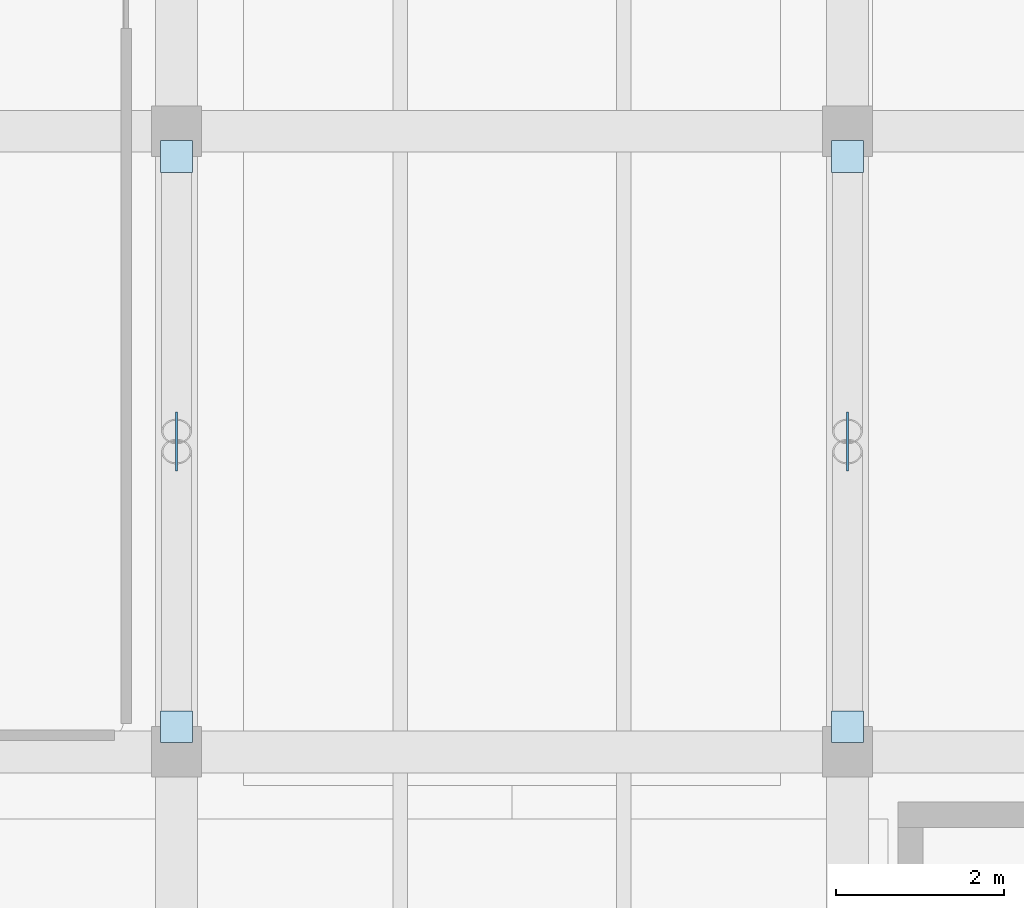
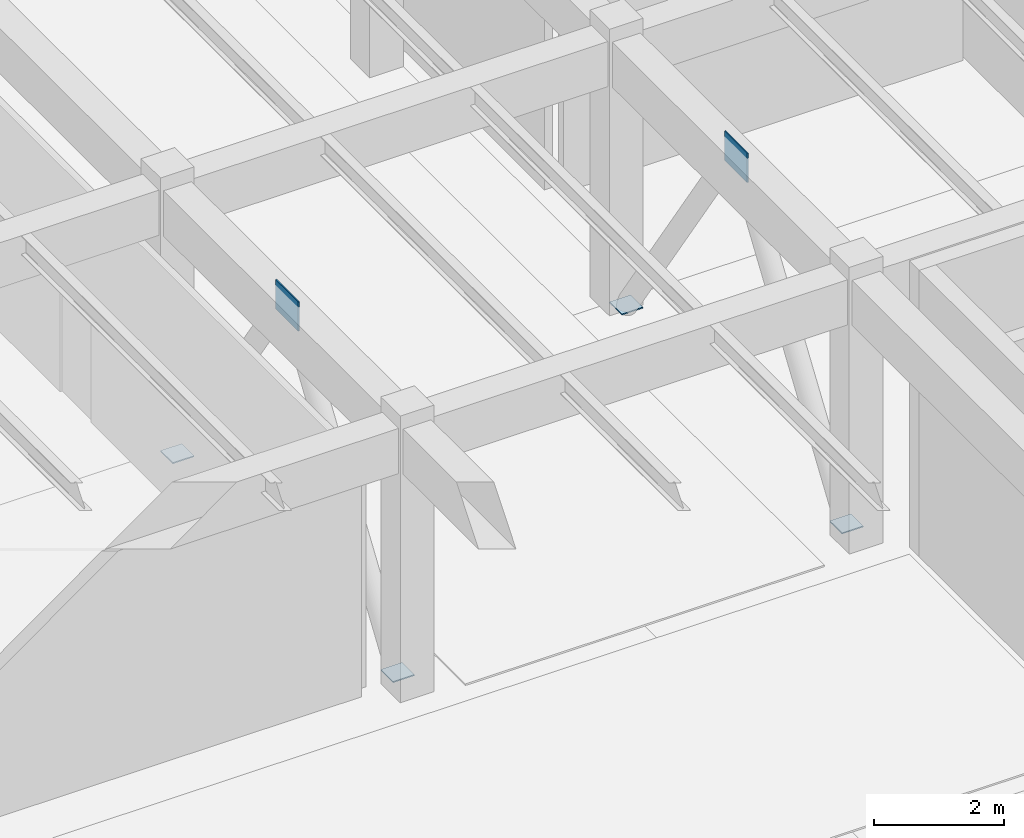
# One storey, part 15 of 56: 6 plates.
"""IFC4 building model written with IfcOpenShell, lengths in metres."""

from ifc_helpers import new_model, si_unit, direction, frame, origin, origin_2d, place, context, subcontext, project, spatial, rectangle, extrude, material, layer, layer_set, type_object, element, save


model = new_model("IFC4")

# Units and contexts
model_context = context("Model", 3, precision=1e-05, world=origin(), true_north=direction((0.0, 1.0)))
body_context = subcontext(model_context, "Body", "Model", "MODEL_VIEW")
ifc_project = project(units=[si_unit("LENGTHUNIT", "METRE"), si_unit("AREAUNIT", "SQUARE_METRE"), si_unit("VOLUMEUNIT", "CUBIC_METRE"), si_unit("PLANEANGLEUNIT", "RADIAN"), si_unit("MASSUNIT", "GRAM", prefix="KILO")], contexts=[model_context])

# Site, building, storey
site_placement = place(None, origin())
site = spatial("IfcSite", under=ifc_project, at=site_placement, CompositionType="ELEMENT")
building_placement = place(site_placement, origin())
building = spatial("IfcBuilding", under=site, at=building_placement, Name="Valkorina Park Police Headquarters", CompositionType="ELEMENT")
storey_placement = place(building_placement, origin())
storey = spatial("IfcBuildingStorey", under=building, at=storey_placement, Name="L01", CompositionType="ELEMENT", Elevation=0.0)

# Plates
ifc_material = material(Name="Steel S355", Category="steel")
ifc_layer_1 = layer(ifc_material, 0.02001953125)
ifc_layer_set_1 = layer_set([ifc_layer_1], Name="Steel S355")
plate_type_1 = type_object("IfcPlateType", Name="PL-ENDCAP-20", PredefinedType="USERDEFINED", material=ifc_layer_set_1)
for number, where, z_axis, x_axis, name in (
    (1, (104.800048828125, 74.300048828125, 0.090087890625), (0.0, 0.0, 1.0), (1.0, 0.0, 0.0), "Brace Base End Cap Plate 223"),
    (2, (104.800048828125, 81.10009765625, 0.090087890625), (0.0, 0.0, 1.0), (1.0, 0.0, 0.0), "Brace Base End Cap Plate 224"),
    (3, (112.800048828125, 74.300048828125, 0.090087890625), (0.0, 0.0, 1.0), (1.0, 0.0, 0.0), "Brace Base End Cap Plate 238"),
    (4, (112.800048828125, 81.10009765625, 0.090087890625), (0.0, 0.0, 1.0), (1.0, 0.0, 0.0), "Brace Base End Cap Plate 239"),
):
    element("IfcPlate", number, at=place(storey_placement, frame(where, z_axis=z_axis, x_axis=x_axis)), inside=storey, type_object=plate_type_1, Name=name, ObjectType="END CAP PLATE", PredefinedType="USERDEFINED", context=body_context, shape_type="SweptSolid", body=[
        extrude(rectangle(XDim=0.3798828125, YDim=0.3798828125, at=origin_2d()), origin(), (0.0, 0.0, 1.0), 0.02001953125),
    ])
ifc_layer_2 = layer(ifc_material, 0.02392578125)
ifc_layer_set_2 = layer_set([ifc_layer_2], Name="Steel S355")
plate_type_2 = type_object("IfcPlateType", Name="PL-GUSSET-24", PredefinedType="USERDEFINED", material=ifc_layer_set_2)
for number, where, z_axis, x_axis, name in (
    (5, (104.800048828125, 77.699951171875, 4.68505859375), (0.0, 0.0, 1.0), (1.0, 0.0, 0.0), "Chevron Apex Gusset Plate CBF-20 225"),
    (6, (112.800048828125, 77.699951171875, 4.68505859375), (0.0, 0.0, 1.0), (1.0, 0.0, 0.0), "Chevron Apex Gusset Plate CBF-30 240"),
):
    element("IfcPlate", number, at=place(storey_placement, frame(where, z_axis=z_axis, x_axis=x_axis)), inside=storey, type_object=plate_type_2, Name=name, ObjectType="GUSSET PLATE", PredefinedType="USERDEFINED", context=body_context, shape_type="SweptSolid", body=[
        extrude(rectangle(XDim=0.02392578125, YDim=0.699951171875, at=origin_2d()), origin(), (0.0, 0.0, 1.0), 0.550048828125),
    ])

save(model, "model.ifc")
